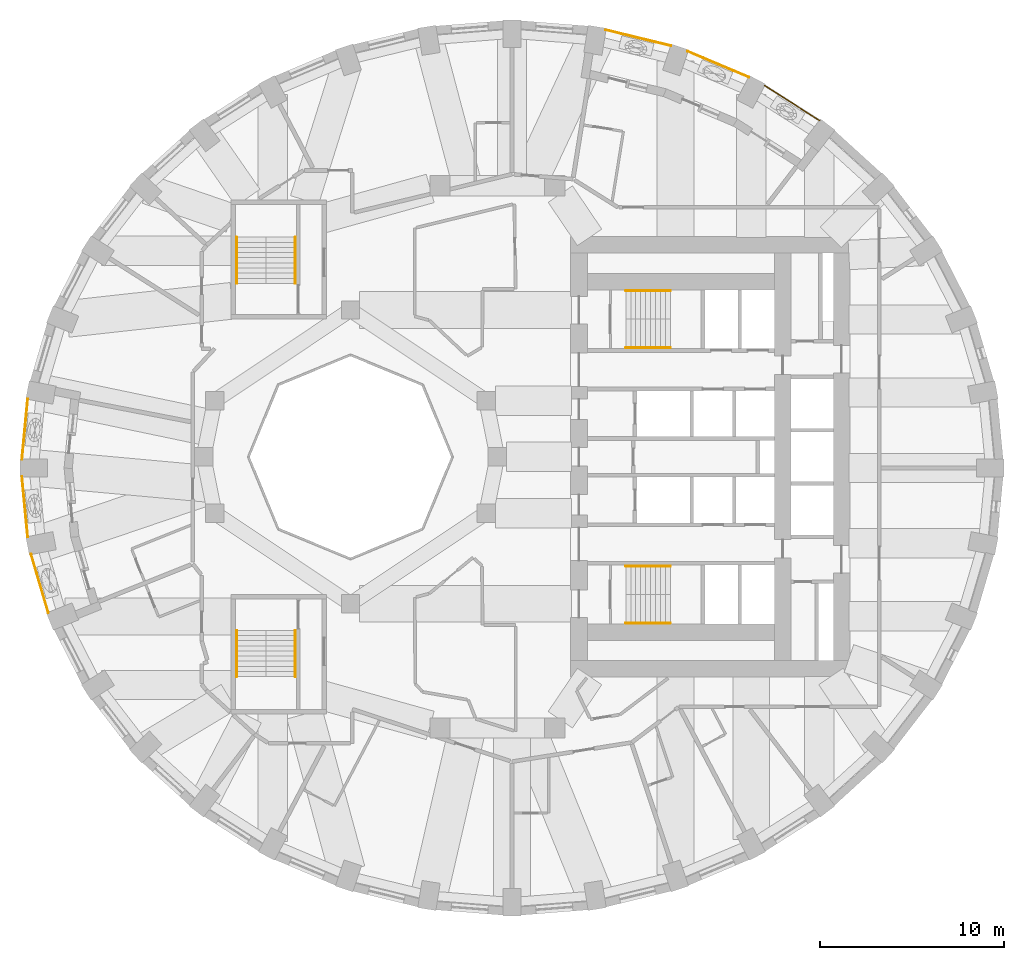
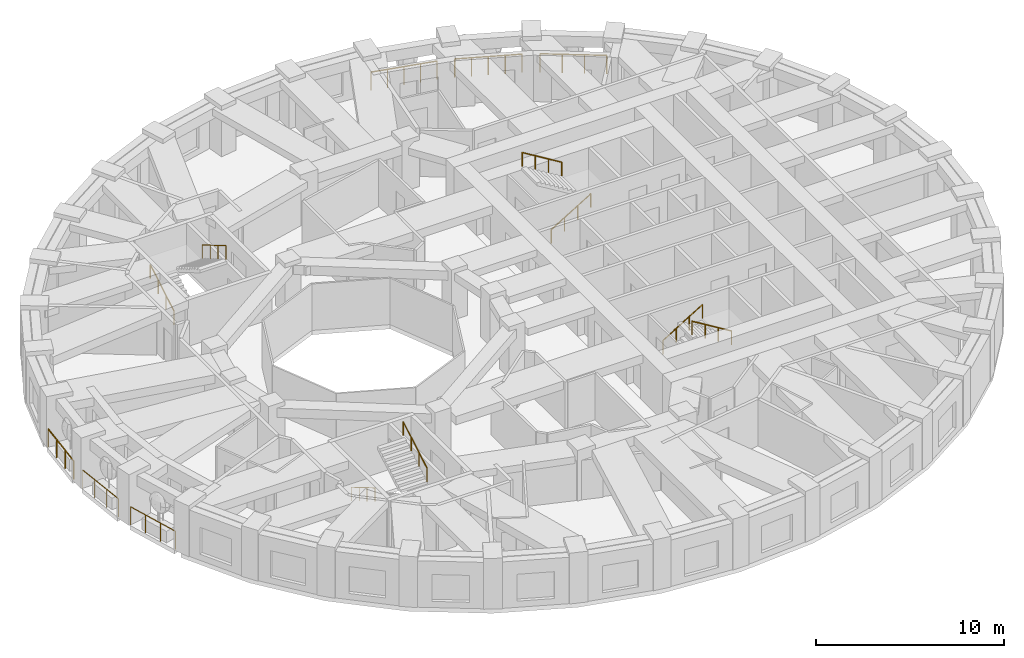
# One storey, part 10 of 12: 14 railings.
"""IFC4 building model written with IfcOpenShell, lengths in metres."""

from ifc_helpers import new_model, si_unit, direction, frame, origin, origin_2d, place, context, subcontext, project, spatial, circle, extrude, material, type_object, element, save


model = new_model("IFC4")

# Units and contexts
model_context = context("Model", 3, precision=1e-05, world=origin(), true_north=direction((0.0, 1.0)))
body_context = subcontext(model_context, "Body", "Model", "MODEL_VIEW")
ifc_project = project(units=[si_unit("LENGTHUNIT", "METRE"), si_unit("AREAUNIT", "SQUARE_METRE"), si_unit("VOLUMEUNIT", "CUBIC_METRE"), si_unit("PLANEANGLEUNIT", "RADIAN"), si_unit("MASSUNIT", "GRAM", prefix="KILO")], contexts=[model_context])

# Site, building, storey
site_placement = place(None, origin())
site = spatial("IfcSite", under=ifc_project, at=site_placement, CompositionType="ELEMENT")
building_placement = place(site_placement, origin())
building = spatial("IfcBuilding", under=site, at=building_placement, Name="Taillehof Tower", CompositionType="ELEMENT")
storey_placement = place(building_placement, frame((0.0, 0.0, 98.800048828125)))
storey = spatial("IfcBuildingStorey", under=building, at=storey_placement, Name="L27", CompositionType="ELEMENT", Elevation=98.800048828125)

# Railings
ifc_material_1 = material(Name="Stainless steel balustrade", Category="steel")
railing_type_1 = type_object("IfcRailingType", Name="Balcony guard 1200", PredefinedType="GUARDRAIL", material=ifc_material_1)
railing_1_placement = place(storey_placement, frame((17.556640625, 18.323486328125, 0.0)))
element("IfcRailing", 1, at=railing_1_placement, inside=storey, type_object=railing_type_1, Name="Balcony guard L27 bay 6", PredefinedType="GUARDRAIL", context=body_context, shape_type="SweptSolid", body=[
    extrude(circle(Radius=0.02392578125, at=origin_2d()), frame((0.0, 0.0, 1.17578125), z_axis=(-0.843861920992, 0.536560395761, 0.0), x_axis=(-0.536560395761, -0.843861920992, 0.0)), (0.0, 0.0, 1.0), 3.56005859375),
    extrude(circle(Radius=0.02099609375, at=origin_2d()), origin(), (0.0, 0.0, 1.0), 1.15185546875),
    extrude(circle(Radius=0.02099609375, at=origin_2d()), frame((-1.00146484375, 0.63671875, 0.0)), (0.0, 0.0, 1.0), 1.15185546875),
    extrude(circle(Radius=0.02099609375, at=origin_2d()), frame((-2.002685546875, 1.2734375, 0.0)), (0.0, 0.0, 1.0), 1.15185546875),
    extrude(circle(Radius=0.02099609375, at=origin_2d()), frame((-3.004150390625, 1.91015625, 0.0)), (0.0, 0.0, 1.0), 1.15185546875),
])
railing_2_placement = place(storey_placement, frame((13.702392578125, 20.679931640625, 0.0)))
element("IfcRailing", 2, at=railing_2_placement, inside=storey, type_object=railing_type_1, Name="Balcony guard L27 bay 7", PredefinedType="GUARDRAIL", context=body_context, shape_type="SweptSolid", body=[
    extrude(circle(Radius=0.02392578125, at=origin_2d()), frame((0.0, 0.0, 1.17578125), z_axis=(-0.920860132176, 0.389893084024, 0.0), x_axis=(-0.389893084024, -0.920860132176, 0.0)), (0.0, 0.0, 1.0), 3.61865234375),
    extrude(circle(Radius=0.02099609375, at=origin_2d()), origin(), (0.0, 0.0, 1.0), 1.15185546875),
    extrude(circle(Radius=0.02099609375, at=origin_2d()), frame((-0.8330078125, 0.352783203125, 0.0)), (0.0, 0.0, 1.0), 1.15185546875),
    extrude(circle(Radius=0.02099609375, at=origin_2d()), frame((-1.666015625, 0.70556640625, 0.0)), (0.0, 0.0, 1.0), 1.15185546875),
    extrude(circle(Radius=0.02099609375, at=origin_2d()), frame((-2.499267578125, 1.05810546875, 0.0)), (0.0, 0.0, 1.0), 1.15185546875),
    extrude(circle(Radius=0.02099609375, at=origin_2d()), frame((-3.332275390625, 1.410888671875, 0.0)), (0.0, 0.0, 1.0), 1.15185546875),
])
railing_3_placement = place(storey_placement, frame((9.45849609375, 22.392333984375, 0.0)))
element("IfcRailing", 3, at=railing_3_placement, inside=storey, type_object=railing_type_1, Name="Balcony guard L27 bay 8", PredefinedType="GUARDRAIL", context=body_context, shape_type="SweptSolid", body=[
    extrude(circle(Radius=0.02392578125, at=origin_2d()), frame((0.0, 0.0, 1.17578125), z_axis=(-0.971645249883, 0.236443457047, 0.0), x_axis=(-0.236443457047, -0.971645249883, 0.0)), (0.0, 0.0, 1.0), 3.661376953125),
    extrude(circle(Radius=0.02099609375, at=origin_2d()), origin(), (0.0, 0.0, 1.0), 1.15185546875),
    extrude(circle(Radius=0.02099609375, at=origin_2d()), frame((-0.889404296875, 0.21630859375, 0.0)), (0.0, 0.0, 1.0), 1.15185546875),
    extrude(circle(Radius=0.02099609375, at=origin_2d()), frame((-1.77880859375, 0.432861328125, 0.0)), (0.0, 0.0, 1.0), 1.15185546875),
    extrude(circle(Radius=0.02099609375, at=origin_2d()), frame((-2.668212890625, 0.6494140625, 0.0)), (0.0, 0.0, 1.0), 1.15185546875),
    extrude(circle(Radius=0.02099609375, at=origin_2d()), frame((-3.5576171875, 0.86572265625, 0.0)), (0.0, 0.0, 1.0), 1.15185546875),
])
railing_4_placement = place(storey_placement, frame((-25.57763671875, 3.157958984375, 0.0)))
element("IfcRailing", 4, at=railing_4_placement, inside=storey, type_object=railing_type_1, Name="Balcony guard L27 bay 18", PredefinedType="GUARDRAIL", context=body_context, shape_type="SweptSolid", body=[
    extrude(circle(Radius=0.02392578125, at=origin_2d()), frame((0.0, 0.0, 1.17578125), z_axis=(-0.095935608485, -0.995387542129, 0.0), x_axis=(0.995387542129, -0.095935608485, 0.0)), (0.0, 0.0, 1.0), 3.29296875),
    extrude(circle(Radius=0.02099609375, at=origin_2d()), origin(), (0.0, 0.0, 1.0), 1.15185546875),
    extrude(circle(Radius=0.02099609375, at=origin_2d()), frame((-0.105224609375, -1.092529296875, 0.0)), (0.0, 0.0, 1.0), 1.15185546875),
    extrude(circle(Radius=0.02099609375, at=origin_2d()), frame((-0.210693359375, -2.185302734375, 0.0)), (0.0, 0.0, 1.0), 1.15185546875),
    extrude(circle(Radius=0.02099609375, at=origin_2d()), frame((-0.31591796875, -3.27783203125, 0.0)), (0.0, 0.0, 1.0), 1.15185546875),
])
railing_5_placement = place(storey_placement, frame((-25.8935546875, -1.080078125, 0.0)))
element("IfcRailing", 5, at=railing_5_placement, inside=storey, type_object=railing_type_1, Name="Balcony guard L27 bay 19", PredefinedType="GUARDRAIL", context=body_context, shape_type="SweptSolid", body=[
    extrude(circle(Radius=0.02392578125, at=origin_2d()), frame((0.0, 0.0, 1.17578125), z_axis=(0.095935608485, -0.995387542129, 0.0), x_axis=(0.995387542129, 0.095935608485, 0.0)), (0.0, 0.0, 1.0), 3.29296875),
    extrude(circle(Radius=0.02099609375, at=origin_2d()), origin(), (0.0, 0.0, 1.0), 1.15185546875),
    extrude(circle(Radius=0.02099609375, at=origin_2d()), frame((0.105224609375, -1.092529296875, 0.0)), (0.0, 0.0, 1.0), 1.15185546875),
    extrude(circle(Radius=0.02099609375, at=origin_2d()), frame((0.210693359375, -2.185302734375, 0.0)), (0.0, 0.0, 1.0), 1.15185546875),
    extrude(circle(Radius=0.02099609375, at=origin_2d()), frame((0.31591796875, -3.27783203125, 0.0)), (0.0, 0.0, 1.0), 1.15185546875),
])
railing_6_placement = place(storey_placement, frame((-25.394775390625, -5.300537109375, 0.0)))
element("IfcRailing", 6, at=railing_6_placement, inside=storey, type_object=railing_type_1, Name="Balcony guard L27 bay 20", PredefinedType="GUARDRAIL", context=body_context, shape_type="SweptSolid", body=[
    extrude(circle(Radius=0.02392578125, at=origin_2d()), frame((0.0, 0.0, 1.17578125), z_axis=(0.283030785866, -0.959110824802, 0.0), x_axis=(0.959110824802, 0.283030785866, 0.0)), (0.0, 0.0, 1.0), 3.317626953125),
    extrude(circle(Radius=0.02099609375, at=origin_2d()), origin(), (0.0, 0.0, 1.0), 1.15185546875),
    extrude(circle(Radius=0.02099609375, at=origin_2d()), frame((0.31298828125, -1.060546875, 0.0)), (0.0, 0.0, 1.0), 1.15185546875),
    extrude(circle(Radius=0.02099609375, at=origin_2d()), frame((0.6259765625, -2.121337890625, 0.0)), (0.0, 0.0, 1.0), 1.15185546875),
    extrude(circle(Radius=0.02099609375, at=origin_2d()), frame((0.93896484375, -3.181884765625, 0.0)), (0.0, 0.0, 1.0), 1.15185546875),
])
ifc_material_2 = material(Name="Stainless steel", Category="steel")
railing_type_2 = type_object("IfcRailingType", Name="Stair handrail 900", PredefinedType="HANDRAIL", material=ifc_material_2)
railing_7_placement = place(storey_placement, frame((7.0, 5.949951171875, 0.1650390625)))
element("IfcRailing", 7, at=railing_7_placement, inside=storey, type_object=railing_type_2, Name="Stair S1 handrail", PredefinedType="HANDRAIL", context=body_context, shape_type="SweptSolid", body=[
    extrude(circle(Radius=0.02392578125, at=origin_2d()), frame((0.0, 0.0, 0.8759765625), z_axis=(0.853296667938, 0.0, 0.521425734392), x_axis=(0.0, 1.0, 0.0)), (0.0, 0.0, 1.0), 2.84765625),
    extrude(circle(Radius=0.02099609375, at=origin_2d()), origin(), (0.0, 0.0, 1.0), 0.851806640625),
    extrude(circle(Radius=0.02099609375, at=origin_2d()), frame((0.81005859375, 0.0, 0.494873046875)), (0.0, 0.0, 1.0), 0.851806640625),
    extrude(circle(Radius=0.02099609375, at=origin_2d()), frame((1.619873046875, 0.0, 0.989990234375)), (0.0, 0.0, 1.0), 0.851806640625),
    extrude(circle(Radius=0.02099609375, at=origin_2d()), frame((2.429931640625, 0.0, 1.48486328125)), (0.0, 0.0, 1.0), 0.851806640625),
])
railing_8_placement = place(storey_placement, frame((9.429931640625, 9.050048828125, 1.81494140625)))
element("IfcRailing", 8, at=railing_8_placement, inside=storey, type_object=railing_type_2, Name="Stair S1 handrail", PredefinedType="HANDRAIL", context=body_context, shape_type="SweptSolid", body=[
    extrude(circle(Radius=0.02392578125, at=origin_2d()), frame((0.0, 0.0, 0.8759765625), z_axis=(-0.853258522278, 0.0, 0.521488153423), x_axis=(0.0, -1.0, 0.0)), (0.0, 0.0, 1.0), 2.847900390625),
    extrude(circle(Radius=0.02099609375, at=origin_2d()), origin(), (0.0, 0.0, 1.0), 0.851806640625),
    extrude(circle(Radius=0.02099609375, at=origin_2d()), frame((-0.81005859375, 0.0, 0.4951171875)), (0.0, 0.0, 1.0), 0.851806640625),
    extrude(circle(Radius=0.02099609375, at=origin_2d()), frame((-1.619873046875, 0.0, 0.989990234375)), (0.0, 0.0, 1.0), 0.851806640625),
    extrude(circle(Radius=0.02099609375, at=origin_2d()), frame((-2.429931640625, 0.0, 1.485107421875)), (0.0, 0.0, 1.0), 0.851806640625),
])
railing_9_placement = place(storey_placement, frame((7.0, -5.949951171875, 0.1650390625)))
element("IfcRailing", 9, at=railing_9_placement, inside=storey, type_object=railing_type_2, Name="Stair S2 handrail", PredefinedType="HANDRAIL", context=body_context, shape_type="SweptSolid", body=[
    extrude(circle(Radius=0.02392578125, at=origin_2d()), frame((0.0, 0.0, 0.8759765625), z_axis=(0.853296667938, 0.0, 0.521425734392), x_axis=(0.0, 1.0, 0.0)), (0.0, 0.0, 1.0), 2.84765625),
    extrude(circle(Radius=0.02099609375, at=origin_2d()), origin(), (0.0, 0.0, 1.0), 0.851806640625),
    extrude(circle(Radius=0.02099609375, at=origin_2d()), frame((0.81005859375, 0.0, 0.494873046875)), (0.0, 0.0, 1.0), 0.851806640625),
    extrude(circle(Radius=0.02099609375, at=origin_2d()), frame((1.619873046875, 0.0, 0.989990234375)), (0.0, 0.0, 1.0), 0.851806640625),
    extrude(circle(Radius=0.02099609375, at=origin_2d()), frame((2.429931640625, 0.0, 1.48486328125)), (0.0, 0.0, 1.0), 0.851806640625),
])
railing_10_placement = place(storey_placement, frame((9.429931640625, -9.050048828125, 1.81494140625)))
element("IfcRailing", 10, at=railing_10_placement, inside=storey, type_object=railing_type_2, Name="Stair S2 handrail", PredefinedType="HANDRAIL", context=body_context, shape_type="SweptSolid", body=[
    extrude(circle(Radius=0.02392578125, at=origin_2d()), frame((0.0, 0.0, 0.8759765625), z_axis=(-0.853258522278, 0.0, 0.521488153423), x_axis=(0.0, -1.0, 0.0)), (0.0, 0.0, 1.0), 2.847900390625),
    extrude(circle(Radius=0.02099609375, at=origin_2d()), origin(), (0.0, 0.0, 1.0), 0.851806640625),
    extrude(circle(Radius=0.02099609375, at=origin_2d()), frame((-0.81005859375, 0.0, 0.4951171875)), (0.0, 0.0, 1.0), 0.851806640625),
    extrude(circle(Radius=0.02099609375, at=origin_2d()), frame((-1.619873046875, 0.0, 0.989990234375)), (0.0, 0.0, 1.0), 0.851806640625),
    extrude(circle(Radius=0.02099609375, at=origin_2d()), frame((-2.429931640625, 0.0, 1.485107421875)), (0.0, 0.0, 1.0), 0.851806640625),
])
railing_11_placement = place(storey_placement, frame((-14.199951171875, 9.449951171875, 0.1650390625)))
element("IfcRailing", 11, at=railing_11_placement, inside=storey, type_object=railing_type_2, Name="Stair S3 handrail", PredefinedType="HANDRAIL", context=body_context, shape_type="SweptSolid", body=[
    extrude(circle(Radius=0.02392578125, at=origin_2d()), frame((0.0, 0.0, 0.8759765625), z_axis=(0.0, 0.861560626758, 0.507654692109), x_axis=(-1.0, 0.0, 0.0)), (0.0, 0.0, 1.0), 2.925048828125),
    extrude(circle(Radius=0.02099609375, at=origin_2d()), origin(), (0.0, 0.0, 1.0), 0.851806640625),
    extrude(circle(Radius=0.02099609375, at=origin_2d()), frame((0.0, 0.840087890625, 0.494873046875)), (0.0, 0.0, 1.0), 0.851806640625),
    extrude(circle(Radius=0.02099609375, at=origin_2d()), frame((0.0, 1.679931640625, 0.989990234375)), (0.0, 0.0, 1.0), 0.851806640625),
    extrude(circle(Radius=0.02099609375, at=origin_2d()), frame((0.0, 2.52001953125, 1.48486328125)), (0.0, 0.0, 1.0), 0.851806640625),
])
railing_12_placement = place(storey_placement, frame((-11.0, 11.969970703125, 1.81494140625)))
element("IfcRailing", 12, at=railing_12_placement, inside=storey, type_object=railing_type_2, Name="Stair S3 handrail", PredefinedType="HANDRAIL", context=body_context, shape_type="SweptSolid", body=[
    extrude(circle(Radius=0.02392578125, at=origin_2d()), frame((0.0, 0.0, 0.8759765625), z_axis=(0.0, -0.86152411907, 0.507716645641), x_axis=(1.0, 0.0, 0.0)), (0.0, 0.0, 1.0), 2.925048828125),
    extrude(circle(Radius=0.02099609375, at=origin_2d()), origin(), (0.0, 0.0, 1.0), 0.851806640625),
    extrude(circle(Radius=0.02099609375, at=origin_2d()), frame((0.0, -0.840087890625, 0.4951171875)), (0.0, 0.0, 1.0), 0.851806640625),
    extrude(circle(Radius=0.02099609375, at=origin_2d()), frame((0.0, -1.679931640625, 0.989990234375)), (0.0, 0.0, 1.0), 0.851806640625),
    extrude(circle(Radius=0.02099609375, at=origin_2d()), frame((0.0, -2.52001953125, 1.485107421875)), (0.0, 0.0, 1.0), 0.851806640625),
])
railing_13_placement = place(storey_placement, frame((-14.199951171875, -9.449951171875, 0.1650390625)))
element("IfcRailing", 13, at=railing_13_placement, inside=storey, type_object=railing_type_2, Name="Stair S4 handrail", PredefinedType="HANDRAIL", context=body_context, shape_type="SweptSolid", body=[
    extrude(circle(Radius=0.02392578125, at=origin_2d()), frame((0.0, 0.0, 0.8759765625), z_axis=(0.0, -0.861560626758, 0.507654692109), x_axis=(1.0, 0.0, 0.0)), (0.0, 0.0, 1.0), 2.925048828125),
    extrude(circle(Radius=0.02099609375, at=origin_2d()), origin(), (0.0, 0.0, 1.0), 0.851806640625),
    extrude(circle(Radius=0.02099609375, at=origin_2d()), frame((0.0, -0.840087890625, 0.494873046875)), (0.0, 0.0, 1.0), 0.851806640625),
    extrude(circle(Radius=0.02099609375, at=origin_2d()), frame((0.0, -1.679931640625, 0.989990234375)), (0.0, 0.0, 1.0), 0.851806640625),
    extrude(circle(Radius=0.02099609375, at=origin_2d()), frame((0.0, -2.52001953125, 1.48486328125)), (0.0, 0.0, 1.0), 0.851806640625),
])
railing_14_placement = place(storey_placement, frame((-11.0, -11.969970703125, 1.81494140625)))
element("IfcRailing", 14, at=railing_14_placement, inside=storey, type_object=railing_type_2, Name="Stair S4 handrail", PredefinedType="HANDRAIL", context=body_context, shape_type="SweptSolid", body=[
    extrude(circle(Radius=0.02392578125, at=origin_2d()), frame((0.0, 0.0, 0.8759765625), z_axis=(0.0, 0.86152411907, 0.507716645641), x_axis=(-1.0, 0.0, 0.0)), (0.0, 0.0, 1.0), 2.925048828125),
    extrude(circle(Radius=0.02099609375, at=origin_2d()), origin(), (0.0, 0.0, 1.0), 0.851806640625),
    extrude(circle(Radius=0.02099609375, at=origin_2d()), frame((0.0, 0.840087890625, 0.4951171875)), (0.0, 0.0, 1.0), 0.851806640625),
    extrude(circle(Radius=0.02099609375, at=origin_2d()), frame((0.0, 1.679931640625, 0.989990234375)), (0.0, 0.0, 1.0), 0.851806640625),
    extrude(circle(Radius=0.02099609375, at=origin_2d()), frame((0.0, 2.52001953125, 1.485107421875)), (0.0, 0.0, 1.0), 0.851806640625),
])

save(model, "model.ifc")
